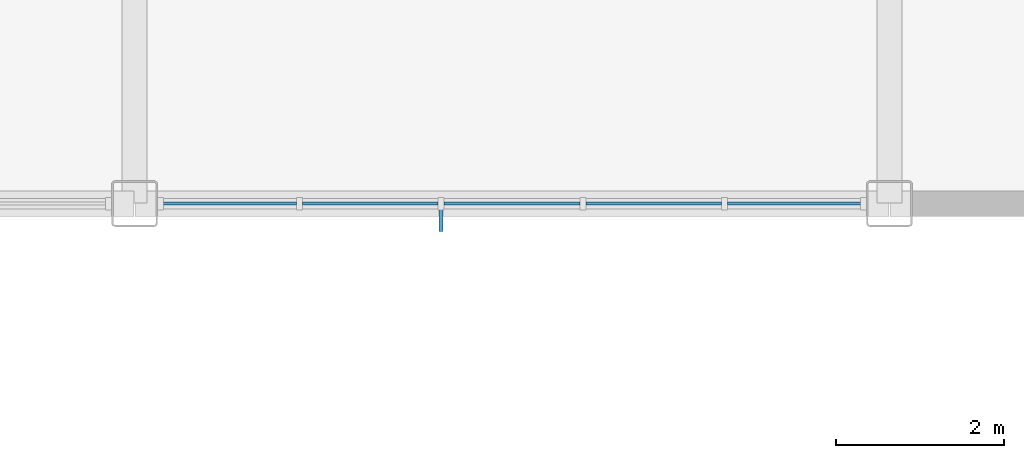
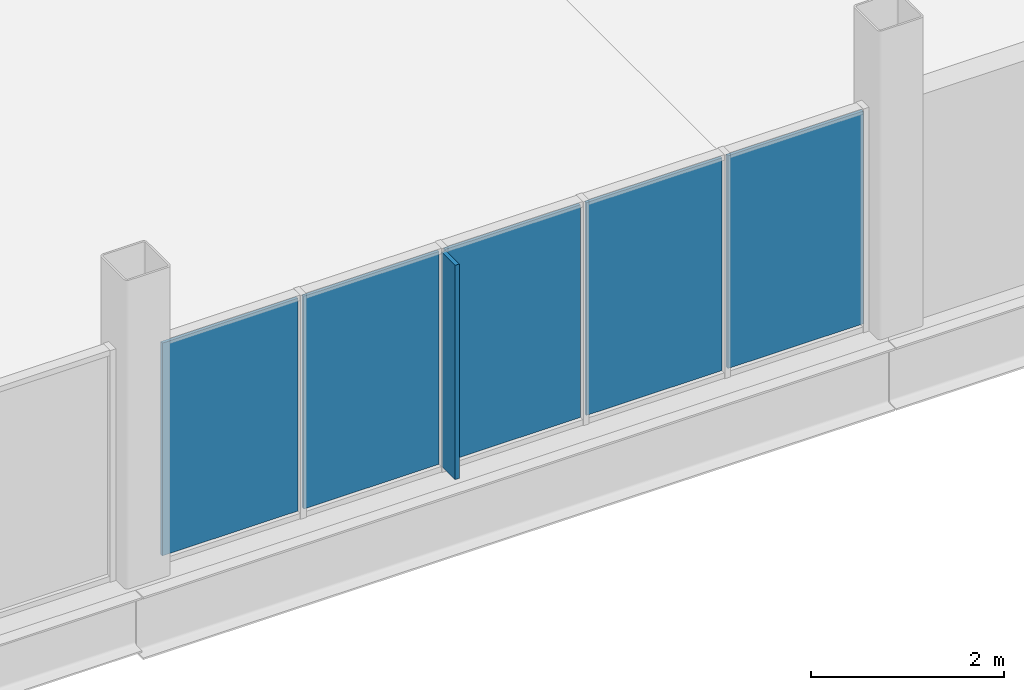
# One storey, part 45 of 77: 6 plates, 1 element without a shape of its own.
"""IFC4 building model written with IfcOpenShell, lengths in metres."""

from ifc_helpers import new_model, si_unit, direction, frame, origin, origin_2d, place, context, subcontext, project, spatial, rectangle, extrude, material, layer, layer_set, type_object, element, aggregate, save


model = new_model("IFC4")

# Units and contexts
model_context = context("Model", 3, precision=1e-05, world=origin(), true_north=direction((0.0, 1.0)))
body_context = subcontext(model_context, "Body", "Model", "MODEL_VIEW")
ifc_project = project(units=[si_unit("LENGTHUNIT", "METRE"), si_unit("AREAUNIT", "SQUARE_METRE"), si_unit("VOLUMEUNIT", "CUBIC_METRE"), si_unit("PLANEANGLEUNIT", "RADIAN"), si_unit("MASSUNIT", "GRAM", prefix="KILO")], contexts=[model_context])

# Site, building, storey
site_placement = place(None, origin())
site = spatial("IfcSite", under=ifc_project, at=site_placement, CompositionType="ELEMENT")
building_placement = place(site_placement, origin())
building = spatial("IfcBuilding", under=site, at=building_placement, Name="Yukiwa Park Conservatory and Herbarium", CompositionType="ELEMENT")
storey_placement = place(building_placement, frame((0.0, 0.0, 13.199951171875)))
storey = spatial("IfcBuildingStorey", under=building, at=storey_placement, Name="L03", CompositionType="ELEMENT", Elevation=13.199951171875)

# Curtain wall, plates
ifc_material_1 = material(Name="Triple Low-E Insulated Glass", Category="glass")
ifc_layer_1 = layer(ifc_material_1, 0.199951171875)
ifc_layer_set_1 = layer_set([ifc_layer_1], Name="Triple Low-E Insulated Glass")
curtain_wall_type = type_object("IfcCurtainWallType", Name="CW-VISITOR-1600", PredefinedType="NOTDEFINED", material=ifc_layer_set_1)
curtain_wall_placement = place(storey_placement, origin())
curtain_wall = element("IfcCurtainWall", 1, at=curtain_wall_placement, inside=storey, type_object=curtain_wall_type, Name="L03 unitised curtain wall CW-L03-071", PredefinedType="NOTDEFINED")
ifc_material_2 = material(Name="Triple Low-E Insulated Glass", Category="glass")
ifc_layer_2 = layer(ifc_material_2, 0.035888671875)
ifc_layer_set_2 = layer_set([ifc_layer_2], Name="Triple Low-E Insulated Glass")
plate_type_1 = type_object("IfcPlateType", Name="PL-CW-GLZ-36", PredefinedType="CURTAIN_PANEL", material=ifc_layer_set_2)
plate_1_placement = place(storey_placement, frame((151.1201171875, 78.0, 0.070068359375), z_axis=(0.0, 0.0, 1.0), x_axis=(1.0, 0.0, 0.0)))
plate_1 = element("IfcPlate", 2, at=plate_1_placement, type_object=plate_type_1, Name="CW-L03-071 vision panel 1.1", PredefinedType="CURTAIN_PANEL", context=body_context, shape_type="SweptSolid", body=[
    extrude(rectangle(XDim=1.6201171875, YDim=0.035888671875, at=origin_2d()), origin(), (0.0, 0.0, 1.0), 2.68798828125),
])
plate_2_placement = place(storey_placement, frame((152.81005859375, 78.0, 0.070068359375), z_axis=(0.0, 0.0, 1.0), x_axis=(1.0, 0.0, 0.0)))
plate_2 = element("IfcPlate", 3, at=plate_2_placement, type_object=plate_type_1, Name="CW-L03-071 vision panel 2.1", PredefinedType="CURTAIN_PANEL", context=body_context, shape_type="SweptSolid", body=[
    extrude(rectangle(XDim=1.6201171875, YDim=0.035888671875, at=origin_2d()), origin(), (0.0, 0.0, 1.0), 2.68798828125),
])
plate_3_placement = place(storey_placement, frame((154.5, 78.0, 0.070068359375), z_axis=(0.0, 0.0, 1.0), x_axis=(1.0, 0.0, 0.0)))
plate_3 = element("IfcPlate", 4, at=plate_3_placement, type_object=plate_type_1, Name="CW-L03-071 vision panel 3.1", PredefinedType="CURTAIN_PANEL", context=body_context, shape_type="SweptSolid", body=[
    extrude(rectangle(XDim=1.6201171875, YDim=0.035888671875, at=origin_2d()), origin(), (0.0, 0.0, 1.0), 2.68798828125),
])
plate_4_placement = place(storey_placement, frame((156.18994140625, 78.0, 0.070068359375), z_axis=(0.0, 0.0, 1.0), x_axis=(1.0, 0.0, 0.0)))
plate_4 = element("IfcPlate", 5, at=plate_4_placement, type_object=plate_type_1, Name="CW-L03-071 vision panel 4.1", PredefinedType="CURTAIN_PANEL", context=body_context, shape_type="SweptSolid", body=[
    extrude(rectangle(XDim=1.6201171875, YDim=0.035888671875, at=origin_2d()), origin(), (0.0, 0.0, 1.0), 2.68798828125),
])
plate_5_placement = place(storey_placement, frame((157.8798828125, 78.0, 0.070068359375), z_axis=(0.0, 0.0, 1.0), x_axis=(1.0, 0.0, 0.0)))
plate_5 = element("IfcPlate", 6, at=plate_5_placement, type_object=plate_type_1, Name="CW-L03-071 vision panel 5.1", PredefinedType="CURTAIN_PANEL", context=body_context, shape_type="SweptSolid", body=[
    extrude(rectangle(XDim=1.6201171875, YDim=0.035888671875, at=origin_2d()), origin(), (0.0, 0.0, 1.0), 2.68798828125),
])
aggregate(curtain_wall, [plate_1, plate_2, plate_3, plate_4, plate_5])

# Plate
ifc_material_3 = material(Name="Anodised Aluminium", Category="aluminium")
ifc_layer_3 = layer(ifc_material_3, 0.050048828125)
ifc_layer_set_3 = layer_set([ifc_layer_3], Name="Anodised Aluminium")
plate_type_2 = type_object("IfcPlateType", Name="PL-FIN-ALU-50", PredefinedType="USERDEFINED", material=ifc_layer_set_3)
plate_6_placement = place(storey_placement, frame((153.655029296875, 77.81005859375, 0.06005859375), z_axis=(0.0, 0.0, 1.0), x_axis=(1.0, 0.0, 0.0)))
element("IfcPlate", 7, at=plate_6_placement, inside=storey, type_object=plate_type_2, Name="CW-L03-071 exterior vertical shading fin", ObjectType="SHADING FIN", PredefinedType="USERDEFINED", context=body_context, shape_type="SweptSolid", body=[
    extrude(rectangle(XDim=0.050048828125, YDim=0.280029296875, at=origin_2d()), origin(), (0.0, 0.0, 1.0), 2.7080078125),
])

save(model, "model.ifc")
